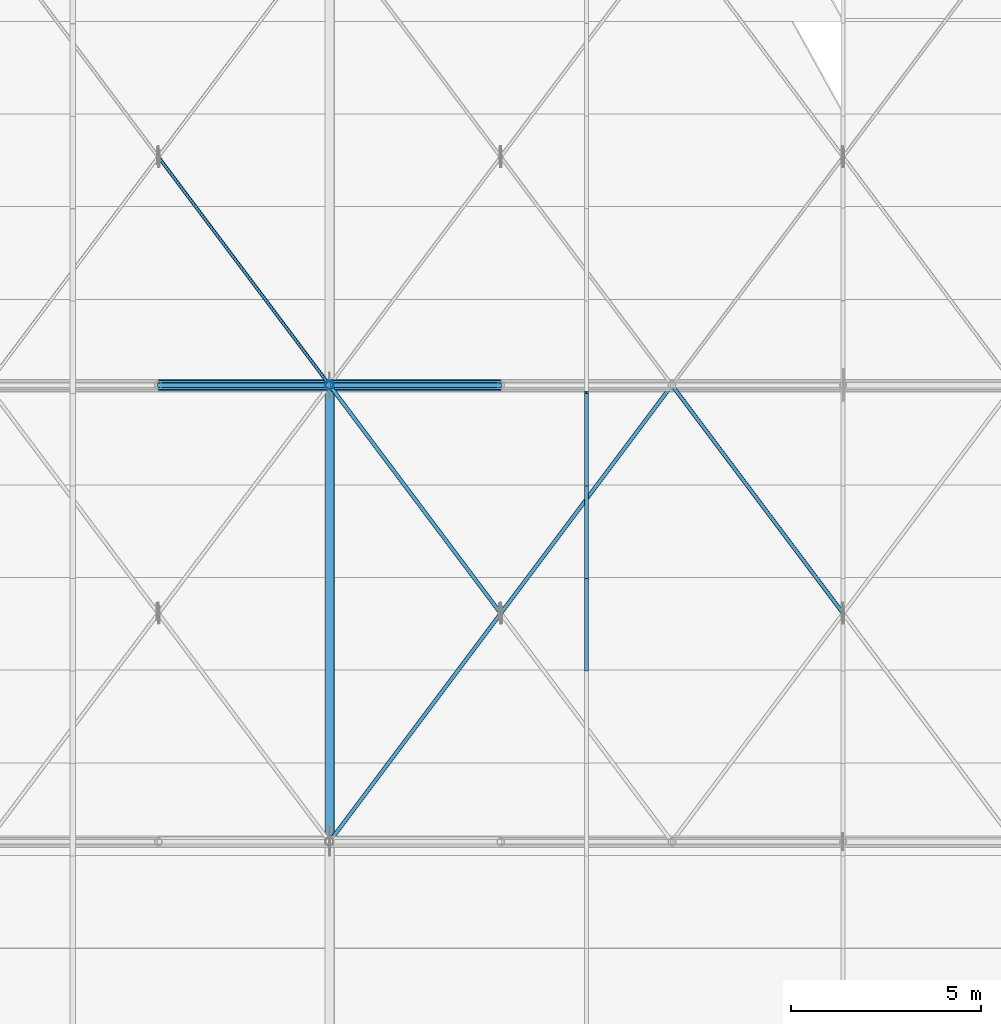
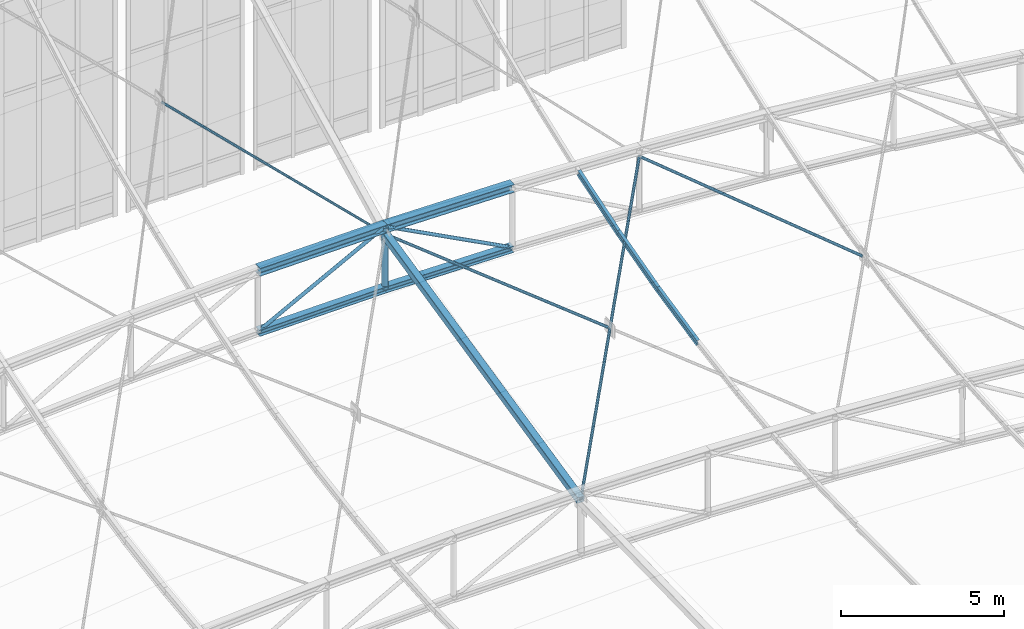
# One storey, part 125 of 262: 15 members.
"""IFC4 building model written with IfcOpenShell, lengths in metres."""

from ifc_helpers import new_model, si_unit, derived_unit, direction, frame, origin, origin_2d, place, context, subcontext, project, spatial, hollow_rectangle, hollow_circle, i_section, extrude, material, material_profile, profile_set, type_object, element, save


model = new_model("IFC4")

# Units and contexts
model_context = context("Model", 3, precision=1e-05, world=origin(), true_north=direction((0.0, 1.0)))
body_context = subcontext(model_context, "Body", "Model", "MODEL_VIEW")
ifc_project = project(units=[si_unit("LENGTHUNIT", "METRE"), si_unit("AREAUNIT", "SQUARE_METRE"), si_unit("VOLUMEUNIT", "CUBIC_METRE"), si_unit("PLANEANGLEUNIT", "RADIAN"), si_unit("MASSUNIT", "GRAM", prefix="KILO"), derived_unit("THERMALTRANSMITTANCEUNIT", [(si_unit("POWERUNIT", "WATT"), 1), (si_unit("LENGTHUNIT", "METRE"), -2), (si_unit("THERMODYNAMICTEMPERATUREUNIT", "KELVIN"), -1)])], contexts=[model_context])

# Site, building, storey
site_placement = place(None, origin())
site = spatial("IfcSite", under=ifc_project, at=site_placement, CompositionType="ELEMENT")
building_placement = place(site_placement, origin())
building = spatial("IfcBuilding", under=site, at=building_placement, Name="Almenara Railside Exhibition Hall", CompositionType="ELEMENT")
storey_placement = place(building_placement, frame((0.0, 0.0, 21.699951171875)))
storey = spatial("IfcBuildingStorey", under=building, at=storey_placement, Name="RF", CompositionType="ELEMENT", Elevation=21.699951171875)

# Members
ifc_material = material(Name="Structural steel S355JR", Category="steel")
ifc_material_profile_1 = material_profile(ifc_material, i_section(OverallWidth=0.239990234375, OverallDepth=0.239990234375, WebThickness=0.010009765625, FlangeThickness=0.01708984375, FilletRadius=0.02099609375, at=origin_2d()), Name="HEB 240")
ifc_profile_set_1 = profile_set([ifc_material_profile_1], Name="Structural steel S355JR")
member_type_1 = type_object("IfcMemberType", Name="Arched Crown Bottom Chord HEB 240 S355JR", PredefinedType="CHORD", material=ifc_profile_set_1)
for number, where, z_axis, x_axis, name in (
    (1, (34.5, 120.0, 2.68017578125), (0.999908030213, 0.0, 0.013562120635), (0.0, 1.0, 0.0), "MEM-BC-V1-06-05"),
    (2, (39.0, 120.0, 2.7412109375), (0.999908030213, 0.0, -0.013562120635), (0.0, 1.0, 0.0), "MEM-BC-V1-06-06"),
):
    element("IfcMember", number, at=place(storey_placement, frame(where, z_axis=z_axis, x_axis=x_axis)), inside=storey, type_object=member_type_1, Name=name, PredefinedType="CHORD", context=body_context, shape_type="SweptSolid", body=[
        extrude(i_section(OverallWidth=0.239990234375, OverallDepth=0.239990234375, WebThickness=0.010009765625, FlangeThickness=0.01708984375, FilletRadius=0.02099609375, at=origin_2d()), origin(), (0.0, 0.0, 1.0), 4.50048828125),
    ])
ifc_material_profile_2 = material_profile(ifc_material, i_section(OverallWidth=0.300048828125, OverallDepth=0.300048828125, WebThickness=0.010986328125, FlangeThickness=0.01904296875, FilletRadius=0.027099609375, at=origin_2d()), Name="HEB 300")
ifc_profile_set_2 = profile_set([ifc_material_profile_2], Name="Structural steel S355JR")
member_type_2 = type_object("IfcMemberType", Name="Arched Inner Top Chord HEB 300 S355JR", PredefinedType="CHORD", material=ifc_profile_set_2)
for number, where, z_axis, x_axis, name in (
    (3, (34.5, 120.0, 4.980224609375), (0.999908030213, 0.0, 0.013562120635), (0.0, 1.0, 0.0), "MEM-TC-V1-06-05"),
    (4, (39.0, 120.0, 5.041259765625), (0.999908030213, 0.0, -0.013562120635), (0.0, 1.0, 0.0), "MEM-TC-V1-06-06"),
):
    element("IfcMember", number, at=place(storey_placement, frame(where, z_axis=z_axis, x_axis=x_axis)), inside=storey, type_object=member_type_2, Name=name, PredefinedType="CHORD", context=body_context, shape_type="SweptSolid", body=[
        extrude(i_section(OverallWidth=0.300048828125, OverallDepth=0.300048828125, WebThickness=0.010986328125, FlangeThickness=0.01904296875, FilletRadius=0.027099609375, at=origin_2d()), origin(), (0.0, 0.0, 1.0), 4.50048828125),
    ])
ifc_material_profile_3 = material_profile(ifc_material, hollow_circle(Radius=0.04443359375, WallThickness=0.00390625, at=origin_2d()), Name="CHS 88.9x4")
ifc_profile_set_3 = profile_set([ifc_material_profile_3], Name="Structural steel S355JR")
member_type_3 = type_object("IfcMemberType", Name="Canopy Tie Brace CHS 88.9x4 S355JR", PredefinedType="BRACE", material=ifc_profile_set_3)
member_1_placement = place(storey_placement, frame((39.0, 120.0, 4.76123046875), z_axis=(-0.559442114356, 0.745922819142, 0.361418965423), x_axis=(-0.8, -0.6, 0.0)))
element("IfcMember", 5, at=member_1_placement, inside=storey, type_object=member_type_3, Name="MEM-WB-V1-WB-CHS89-06-04-S1", PredefinedType="BRACE", context=body_context, shape_type="SweptSolid", body=[
    extrude(hollow_circle(Radius=0.04443359375, WallThickness=0.00390625, at=origin_2d()), origin(), (0.0, 0.0, 1.0), 7.995361328125),
])
ifc_material_profile_4 = material_profile(ifc_material, hollow_rectangle(XDim=0.25, YDim=0.25, WallThickness=0.010009765625, InnerFilletRadius=0.010009765625, OuterFilletRadius=0.02001953125, at=origin_2d()), Name="SHS 250x250x10")
ifc_profile_set_4 = profile_set([ifc_material_profile_4], Name="Structural steel S355JR")
member_type_4 = type_object("IfcMemberType", Name="Heavy Gable Sway Strut SHS 250x250x10 S355JR", PredefinedType="BRACE", material=ifc_profile_set_4)
member_2_placement = place(storey_placement, frame((39.0, 108.0, 2.084716796875), z_axis=(0.0, 0.976017158666, 0.217693605763), x_axis=(-1.0, 0.0, 0.0)))
element("IfcMember", 6, at=member_2_placement, inside=storey, type_object=member_type_4, Name="MEM-ES-V1-05", PredefinedType="BRACE", context=body_context, shape_type="SweptSolid", body=[
    extrude(hollow_rectangle(XDim=0.25, YDim=0.25, WallThickness=0.010009765625, InnerFilletRadius=0.010009765625, OuterFilletRadius=0.02001953125, at=origin_2d()), origin(), (0.0, 0.0, 1.0), 12.294921875),
])
ifc_material_profile_5 = material_profile(ifc_material, i_section(OverallWidth=0.110107421875, OverallDepth=0.219970703125, WebThickness=0.005859375, FlangeThickness=0.00927734375, FilletRadius=0.011962890625, at=origin_2d()), Name="IPE 220")
ifc_profile_set_5 = profile_set([ifc_material_profile_5], Name="Structural steel S355JR")
member_type_5 = type_object("IfcMemberType", Name="Heavy Hall Roof Purlin IPE 220 S355JR", PredefinedType="PURLIN", material=ifc_profile_set_5)
member_3_placement = place(storey_placement, frame((45.75, 112.50634765625, 2.869873046875), z_axis=(0.0, 0.977496103583, 0.210953472309), x_axis=(-1.0, 0.0, 0.0)))
element("IfcMember", 7, at=member_3_placement, inside=storey, type_object=member_type_5, Name="MEM-PR-V1-PR-IPE220-05-20", PredefinedType="PURLIN", context=body_context, shape_type="SweptSolid", body=[
    extrude(i_section(OverallWidth=0.110107421875, OverallDepth=0.219970703125, WebThickness=0.005859375, FlangeThickness=0.00927734375, FilletRadius=0.011962890625, at=origin_2d()), origin(), (0.0, 0.0, 1.0), 2.492919921875),
])
member_4_placement = place(storey_placement, frame((45.75, 114.943115234375, 3.39208984375), z_axis=(0.0, 0.966201190487, 0.257789176462), x_axis=(-1.0, 0.0, 0.0)))
element("IfcMember", 8, at=member_4_placement, inside=storey, type_object=member_type_5, Name="MEM-PR-V1-PR-IPE220-05-21", PredefinedType="PURLIN", context=body_context, shape_type="SweptSolid", body=[
    extrude(i_section(OverallWidth=0.110107421875, OverallDepth=0.219970703125, WebThickness=0.005859375, FlangeThickness=0.00927734375, FilletRadius=0.011962890625, at=origin_2d()), origin(), (0.0, 0.0, 1.0), 2.52197265625),
])
member_5_placement = place(storey_placement, frame((45.75, 117.3798828125, 4.03759765625), z_axis=(0.0, 0.952440767254, 0.304723784553), x_axis=(-1.0, 0.0, 0.0)))
element("IfcMember", 9, at=member_5_placement, inside=storey, type_object=member_type_5, Name="MEM-PR-V1-PR-IPE220-05-22", PredefinedType="PURLIN", context=body_context, shape_type="SweptSolid", body=[
    extrude(i_section(OverallWidth=0.110107421875, OverallDepth=0.219970703125, WebThickness=0.005859375, FlangeThickness=0.00927734375, FilletRadius=0.011962890625, at=origin_2d()), origin(), (0.0, 0.0, 1.0), 2.55810546875),
])
ifc_material_profile_6 = material_profile(ifc_material, hollow_circle(Radius=0.05078125, WallThickness=0.00390625, at=origin_2d()), Name="CHS 101.6x4")
ifc_profile_set_6 = profile_set([ifc_material_profile_6], Name="Structural steel S355JR")
member_type_6 = type_object("IfcMemberType", Name="Scroll Wind Plan Brace CHS 101.6x4 S355JR", PredefinedType="BRACE", material=ifc_profile_set_6)
member_6_placement = place(storey_placement, frame((39.0, 108.0, 2.084716796875), z_axis=(0.592265180175, 0.7896869069, 0.160051696097), x_axis=(-0.8, 0.6, 0.0)))
element("IfcMember", 10, at=member_6_placement, inside=storey, type_object=member_type_6, Name="MEM-WB-V1-WB-CHS102-05-06-C", PredefinedType="BRACE", context=body_context, shape_type="SweptSolid", body=[
    extrude(hollow_circle(Radius=0.05078125, WallThickness=0.00390625, at=origin_2d()), origin(), (0.0, 0.0, 1.0), 15.19580078125),
])
member_7_placement = place(storey_placement, frame((43.4677734375, 114.04296875, 3.311279296875), z_axis=(-0.588938662257, 0.785251549676, 0.191131514489), x_axis=(-0.8, -0.6, 0.0)))
element("IfcMember", 11, at=member_7_placement, inside=storey, type_object=member_type_6, Name="MEM-WB-V1-WB-CHS102-05-06-S2", PredefinedType="BRACE", context=body_context, shape_type="SweptSolid", body=[
    extrude(hollow_circle(Radius=0.05078125, WallThickness=0.00390625, at=origin_2d()), origin(), (0.0, 0.0, 1.0), 7.586181640625),
])
member_8_placement = place(storey_placement, frame((52.468017578125, 114.042724609375, 2.823974609375), z_axis=(-0.585077102142, 0.780092146296, 0.221677756748), x_axis=(-0.799996065737, -0.600005245648, 0.0)))
element("IfcMember", 12, at=member_8_placement, inside=storey, type_object=member_type_6, Name="MEM-WB-V1-WB-CHS102-05-08-S2", PredefinedType="BRACE", context=body_context, shape_type="SweptSolid", body=[
    extrude(hollow_circle(Radius=0.05078125, WallThickness=0.00390625, at=origin_2d()), origin(), (0.0, 0.0, 1.0), 7.63671875),
])
ifc_material_profile_7 = material_profile(ifc_material, hollow_circle(Radius=0.0634765625, WallThickness=0.00439453125, at=origin_2d()), Name="CHS 127.0x4.5")
ifc_profile_set_7 = profile_set([ifc_material_profile_7], Name="Structural steel S355JR")
member_type_7 = type_object("IfcMemberType", Name="Truss Crown Diagonal CHS 127.0x4.5 S355JR", PredefinedType="BRACE", material=ifc_profile_set_7)
for number, where, z_axis, x_axis, name in (
    (13, (34.5, 120.0, 2.68017578125), (0.885512555589, 0.0, 0.464615447326), (0.0, 1.0, 0.0), "MEM-TD-V1-06-05"),
    (14, (39.0, 120.0, 5.041259765625), (0.885512555589, 0.0, -0.464615447326), (0.0, 1.0, 0.0), "MEM-TD-V1-06-06"),
):
    element("IfcMember", number, at=place(storey_placement, frame(where, z_axis=z_axis, x_axis=x_axis)), inside=storey, type_object=member_type_7, Name=name, PredefinedType="BRACE", context=body_context, shape_type="SweptSolid", body=[
        extrude(hollow_circle(Radius=0.0634765625, WallThickness=0.00439453125, at=origin_2d()), origin(), (0.0, 0.0, 1.0), 5.081787109375),
    ])
ifc_material_profile_8 = material_profile(ifc_material, hollow_circle(Radius=0.109619140625, WallThickness=0.008056640625, at=origin_2d()), Name="CHS 219.1x8")
ifc_profile_set_8 = profile_set([ifc_material_profile_8], Name="Structural steel S355JR")
member_type_8 = type_object("IfcMemberType", Name="Truss Primary Vertical Strut CHS 219.1x8 S355JR", PredefinedType="BRACE", material=ifc_profile_set_8)
member_9_placement = place(storey_placement, frame((39.0, 120.0, 2.7412109375), z_axis=(0.0, 0.0, 1.0), x_axis=(1.0, 0.0, 0.0)))
element("IfcMember", 15, at=member_9_placement, inside=storey, type_object=member_type_8, Name="MEM-TV-V1-06-06", PredefinedType="BRACE", context=body_context, shape_type="SweptSolid", body=[
    extrude(hollow_circle(Radius=0.109619140625, WallThickness=0.008056640625, at=origin_2d()), origin(), (0.0, 0.0, 1.0), 2.300048828125),
])

save(model, "model.ifc")
